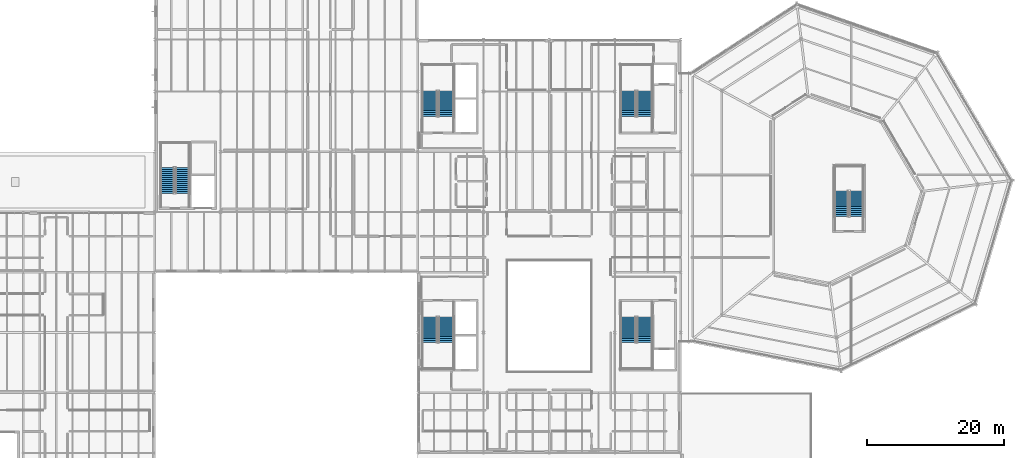
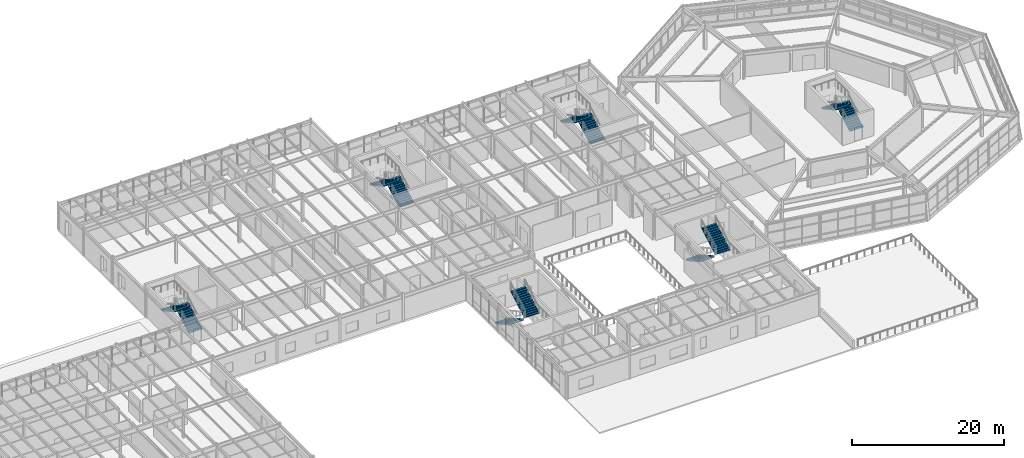
# One storey, part 57 of 69: 12 stair flights, 6 elements without a shape of their own.
"""IFC4 building model written with IfcOpenShell, lengths in metres."""

from ifc_helpers import new_model, si_unit, direction, frame, origin, place, context, subcontext, project, spatial, polyline, outline, extrude, material, type_object, element, aggregate, save


model = new_model("IFC4")

# Units and contexts
model_context = context("Model", 3, precision=1e-05, world=origin(), true_north=direction((0.0, 1.0)))
body_context = subcontext(model_context, "Body", "Model", "MODEL_VIEW")
ifc_project = project(units=[si_unit("LENGTHUNIT", "METRE"), si_unit("AREAUNIT", "SQUARE_METRE"), si_unit("VOLUMEUNIT", "CUBIC_METRE"), si_unit("PLANEANGLEUNIT", "RADIAN"), si_unit("MASSUNIT", "GRAM", prefix="KILO")], contexts=[model_context])

# Site, building, storey
site_placement = place(None, origin())
site = spatial("IfcSite", under=ifc_project, at=site_placement, CompositionType="ELEMENT")
building_placement = place(site_placement, origin())
building = spatial("IfcBuilding", under=site, at=building_placement, Name="Sarnbrook Museum", CompositionType="ELEMENT")
storey_placement = place(building_placement, frame((0.0, 0.0, 14.60009765625)))
storey = spatial("IfcBuildingStorey", under=building, at=storey_placement, Name="L03", CompositionType="ELEMENT", Elevation=14.60009765625)

# Stair, stair flights
ifc_material = material(Name="Concrete N40 (AS 3600, f'c = 40 MPa)", Category="concrete")
stair_type_1 = type_object("IfcStairType", Name="Stair_ST03", PredefinedType="HALF_TURN_STAIR", material=ifc_material)
stair_1_placement = place(storey_placement, origin())
stair_1 = element("IfcStair", 1, at=stair_1_placement, inside=storey, type_object=stair_type_1, Name="L03 Exit Stair ST1", PredefinedType="HALF_TURN_STAIR")
stair_flight_type_1 = type_object("IfcStairFlightType", Name="StairFlight_SF03", PredefinedType="STRAIGHT", material=ifc_material)
stair_flight_1_placement = place(storey_placement, frame((111.550048828125, 67.8798828125, 0.0), z_axis=(0.0, 0.0, 1.0), x_axis=(0.0, -1.0, 0.0)))
stair_flight_1 = element("IfcStairFlight", 2, at=stair_flight_1_placement, type_object=stair_flight_type_1, Name="ST1 flight 1", NumberOfRisers=14, NumberOfTreads=13, PredefinedType="STRAIGHT", RiserHeight=0.160714286, TreadLength=0.29, context=body_context, shape_type="SweptSolid", body=[
    extrude(outline(polyline([(0.0, 0.0), (0.0, 0.16064453125), (0.2900390625, 0.16064453125), (0.2900390625, 0.321533203125), (0.580078125, 0.321533203125), (0.580078125, 0.482177734375), (0.8701171875, 0.482177734375), (0.8701171875, 0.642822265625), (1.159912109375, 0.642822265625), (1.159912109375, 0.803466796875), (1.449951171875, 0.803466796875), (1.449951171875, 0.96435546875), (1.739990234375, 0.96435546875), (1.739990234375, 1.125), (2.030029296875, 1.125), (2.030029296875, 1.28564453125), (2.320068359375, 1.28564453125), (2.320068359375, 1.446533203125), (2.610107421875, 1.446533203125), (2.610107421875, 1.607177734375), (2.89990234375, 1.607177734375), (2.89990234375, 1.767822265625), (3.18994140625, 1.767822265625), (3.18994140625, 1.928466796875), (3.47998046875, 1.928466796875), (3.47998046875, 2.08935546875), (3.77001953125, 2.08935546875), (3.77001953125, 2.25), (3.77001953125, 1.91796875), (0.309326171875, 0.0), (0.0, 0.0)])), frame((0.0, 1.10986328125, 0.0), z_axis=(0.0, -1.0, 0.0), x_axis=(1.0, 0.0, 0.0)), (0.0, 0.0, 1.0), 2.219970703125),
])
stair_flight_2_placement = place(storey_placement, frame((113.949951171875, 64.110107421875, 2.25), z_axis=(0.0, 0.0, 1.0), x_axis=(0.0, 1.0, 0.0)))
stair_flight_2 = element("IfcStairFlight", 3, at=stair_flight_2_placement, type_object=stair_flight_type_1, Name="ST1 flight 2", NumberOfRisers=14, NumberOfTreads=13, PredefinedType="STRAIGHT", RiserHeight=0.160714286, TreadLength=0.29, context=body_context, shape_type="SweptSolid", body=[
    extrude(outline(polyline([(0.0, 0.0), (0.0, 0.16064453125), (0.2900390625, 0.16064453125), (0.2900390625, 0.321533203125), (0.580078125, 0.321533203125), (0.580078125, 0.482177734375), (0.8701171875, 0.482177734375), (0.8701171875, 0.642822265625), (1.159912109375, 0.642822265625), (1.159912109375, 0.803466796875), (1.449951171875, 0.803466796875), (1.449951171875, 0.96435546875), (1.739990234375, 0.96435546875), (1.739990234375, 1.125), (2.030029296875, 1.125), (2.030029296875, 1.28564453125), (2.320068359375, 1.28564453125), (2.320068359375, 1.446533203125), (2.610107421875, 1.446533203125), (2.610107421875, 1.607177734375), (2.89990234375, 1.607177734375), (2.89990234375, 1.767822265625), (3.18994140625, 1.767822265625), (3.18994140625, 1.928466796875), (3.47998046875, 1.928466796875), (3.47998046875, 2.08935546875), (3.77001953125, 2.08935546875), (3.77001953125, 2.25), (3.77001953125, 1.91796875), (0.309326171875, 0.0), (0.0, 0.0)])), frame((0.0, 1.10986328125, 0.0), z_axis=(0.0, -1.0, 0.0), x_axis=(1.0, 0.0, 0.0)), (0.0, 0.0, 1.0), 2.219970703125),
])
aggregate(stair_1, [stair_flight_1, stair_flight_2])

stair_2_placement = place(storey_placement, origin())
stair_2 = element("IfcStair", 4, at=stair_2_placement, inside=storey, type_object=stair_type_1, Name="L03 Exit Stair ST2", PredefinedType="HALF_TURN_STAIR")
stair_flight_3_placement = place(storey_placement, frame((113.949951171875, 97.1201171875, 0.0), z_axis=(0.0, 0.0, 1.0), x_axis=(0.0, 1.0, 0.0)))
stair_flight_3 = element("IfcStairFlight", 5, at=stair_flight_3_placement, type_object=stair_flight_type_1, Name="ST2 flight 1", NumberOfRisers=14, NumberOfTreads=13, PredefinedType="STRAIGHT", RiserHeight=0.160714286, TreadLength=0.29, context=body_context, shape_type="SweptSolid", body=[
    extrude(outline(polyline([(0.0, 0.0), (0.0, 0.16064453125), (0.2900390625, 0.16064453125), (0.2900390625, 0.321533203125), (0.580078125, 0.321533203125), (0.580078125, 0.482177734375), (0.8701171875, 0.482177734375), (0.8701171875, 0.642822265625), (1.159912109375, 0.642822265625), (1.159912109375, 0.803466796875), (1.449951171875, 0.803466796875), (1.449951171875, 0.96435546875), (1.739990234375, 0.96435546875), (1.739990234375, 1.125), (2.030029296875, 1.125), (2.030029296875, 1.28564453125), (2.320068359375, 1.28564453125), (2.320068359375, 1.446533203125), (2.610107421875, 1.446533203125), (2.610107421875, 1.607177734375), (2.89990234375, 1.607177734375), (2.89990234375, 1.767822265625), (3.18994140625, 1.767822265625), (3.18994140625, 1.928466796875), (3.47998046875, 1.928466796875), (3.47998046875, 2.08935546875), (3.77001953125, 2.08935546875), (3.77001953125, 2.25), (3.77001953125, 1.91796875), (0.309326171875, 0.0), (0.0, 0.0)])), frame((0.0, 1.10986328125, 0.0), z_axis=(0.0, -1.0, 0.0), x_axis=(1.0, 0.0, 0.0)), (0.0, 0.0, 1.0), 2.219970703125),
])
stair_flight_4_placement = place(storey_placement, frame((111.550048828125, 100.889892578125, 2.25), z_axis=(0.0, 0.0, 1.0), x_axis=(0.0, -1.0, 0.0)))
stair_flight_4 = element("IfcStairFlight", 6, at=stair_flight_4_placement, type_object=stair_flight_type_1, Name="ST2 flight 2", NumberOfRisers=14, NumberOfTreads=13, PredefinedType="STRAIGHT", RiserHeight=0.160714286, TreadLength=0.29, context=body_context, shape_type="SweptSolid", body=[
    extrude(outline(polyline([(0.0, 0.0), (0.0, 0.16064453125), (0.2900390625, 0.16064453125), (0.2900390625, 0.321533203125), (0.580078125, 0.321533203125), (0.580078125, 0.482177734375), (0.8701171875, 0.482177734375), (0.8701171875, 0.642822265625), (1.159912109375, 0.642822265625), (1.159912109375, 0.803466796875), (1.449951171875, 0.803466796875), (1.449951171875, 0.96435546875), (1.739990234375, 0.96435546875), (1.739990234375, 1.125), (2.030029296875, 1.125), (2.030029296875, 1.28564453125), (2.320068359375, 1.28564453125), (2.320068359375, 1.446533203125), (2.610107421875, 1.446533203125), (2.610107421875, 1.607177734375), (2.89990234375, 1.607177734375), (2.89990234375, 1.767822265625), (3.18994140625, 1.767822265625), (3.18994140625, 1.928466796875), (3.47998046875, 1.928466796875), (3.47998046875, 2.08935546875), (3.77001953125, 2.08935546875), (3.77001953125, 2.25), (3.77001953125, 1.91796875), (0.309326171875, 0.0), (0.0, 0.0)])), frame((0.0, 1.10986328125, 0.0), z_axis=(0.0, -1.0, 0.0), x_axis=(1.0, 0.0, 0.0)), (0.0, 0.0, 1.0), 2.219970703125),
])
aggregate(stair_2, [stair_flight_3, stair_flight_4])

stair_3_placement = place(storey_placement, origin())
stair_3 = element("IfcStair", 7, at=stair_3_placement, inside=storey, type_object=stair_type_1, Name="L03 Exit Stair ST3", PredefinedType="HALF_TURN_STAIR")
stair_flight_5_placement = place(storey_placement, frame((82.550048828125, 67.8798828125, 0.0), z_axis=(0.0, 0.0, 1.0), x_axis=(0.0, -1.0, 0.0)))
stair_flight_5 = element("IfcStairFlight", 8, at=stair_flight_5_placement, type_object=stair_flight_type_1, Name="ST3 flight 1", NumberOfRisers=14, NumberOfTreads=13, PredefinedType="STRAIGHT", RiserHeight=0.160714286, TreadLength=0.29, context=body_context, shape_type="SweptSolid", body=[
    extrude(outline(polyline([(0.0, 0.0), (0.0, 0.16064453125), (0.2900390625, 0.16064453125), (0.2900390625, 0.321533203125), (0.580078125, 0.321533203125), (0.580078125, 0.482177734375), (0.8701171875, 0.482177734375), (0.8701171875, 0.642822265625), (1.159912109375, 0.642822265625), (1.159912109375, 0.803466796875), (1.449951171875, 0.803466796875), (1.449951171875, 0.96435546875), (1.739990234375, 0.96435546875), (1.739990234375, 1.125), (2.030029296875, 1.125), (2.030029296875, 1.28564453125), (2.320068359375, 1.28564453125), (2.320068359375, 1.446533203125), (2.610107421875, 1.446533203125), (2.610107421875, 1.607177734375), (2.89990234375, 1.607177734375), (2.89990234375, 1.767822265625), (3.18994140625, 1.767822265625), (3.18994140625, 1.928466796875), (3.47998046875, 1.928466796875), (3.47998046875, 2.08935546875), (3.77001953125, 2.08935546875), (3.77001953125, 2.25), (3.77001953125, 1.91796875), (0.309326171875, 0.0), (0.0, 0.0)])), frame((0.0, 1.10986328125, 0.0), z_axis=(0.0, -1.0, 0.0), x_axis=(1.0, 0.0, 0.0)), (0.0, 0.0, 1.0), 2.219970703125),
])
stair_flight_6_placement = place(storey_placement, frame((84.949951171875, 64.110107421875, 2.25), z_axis=(0.0, 0.0, 1.0), x_axis=(0.0, 1.0, 0.0)))
stair_flight_6 = element("IfcStairFlight", 9, at=stair_flight_6_placement, type_object=stair_flight_type_1, Name="ST3 flight 2", NumberOfRisers=14, NumberOfTreads=13, PredefinedType="STRAIGHT", RiserHeight=0.160714286, TreadLength=0.29, context=body_context, shape_type="SweptSolid", body=[
    extrude(outline(polyline([(0.0, 0.0), (0.0, 0.16064453125), (0.2900390625, 0.16064453125), (0.2900390625, 0.321533203125), (0.580078125, 0.321533203125), (0.580078125, 0.482177734375), (0.8701171875, 0.482177734375), (0.8701171875, 0.642822265625), (1.159912109375, 0.642822265625), (1.159912109375, 0.803466796875), (1.449951171875, 0.803466796875), (1.449951171875, 0.96435546875), (1.739990234375, 0.96435546875), (1.739990234375, 1.125), (2.030029296875, 1.125), (2.030029296875, 1.28564453125), (2.320068359375, 1.28564453125), (2.320068359375, 1.446533203125), (2.610107421875, 1.446533203125), (2.610107421875, 1.607177734375), (2.89990234375, 1.607177734375), (2.89990234375, 1.767822265625), (3.18994140625, 1.767822265625), (3.18994140625, 1.928466796875), (3.47998046875, 1.928466796875), (3.47998046875, 2.08935546875), (3.77001953125, 2.08935546875), (3.77001953125, 2.25), (3.77001953125, 1.91796875), (0.309326171875, 0.0), (0.0, 0.0)])), frame((0.0, 1.10986328125, 0.0), z_axis=(0.0, -1.0, 0.0), x_axis=(1.0, 0.0, 0.0)), (0.0, 0.0, 1.0), 2.219970703125),
])
aggregate(stair_3, [stair_flight_5, stair_flight_6])

stair_4_placement = place(storey_placement, origin())
stair_4 = element("IfcStair", 10, at=stair_4_placement, inside=storey, type_object=stair_type_1, Name="L03 Exit Stair ST4", PredefinedType="HALF_TURN_STAIR")
stair_flight_7_placement = place(storey_placement, frame((84.949951171875, 97.1201171875, 0.0), z_axis=(0.0, 0.0, 1.0), x_axis=(0.0, 1.0, 0.0)))
stair_flight_7 = element("IfcStairFlight", 11, at=stair_flight_7_placement, type_object=stair_flight_type_1, Name="ST4 flight 1", NumberOfRisers=14, NumberOfTreads=13, PredefinedType="STRAIGHT", RiserHeight=0.160714286, TreadLength=0.29, context=body_context, shape_type="SweptSolid", body=[
    extrude(outline(polyline([(0.0, 0.0), (0.0, 0.16064453125), (0.2900390625, 0.16064453125), (0.2900390625, 0.321533203125), (0.580078125, 0.321533203125), (0.580078125, 0.482177734375), (0.8701171875, 0.482177734375), (0.8701171875, 0.642822265625), (1.159912109375, 0.642822265625), (1.159912109375, 0.803466796875), (1.449951171875, 0.803466796875), (1.449951171875, 0.96435546875), (1.739990234375, 0.96435546875), (1.739990234375, 1.125), (2.030029296875, 1.125), (2.030029296875, 1.28564453125), (2.320068359375, 1.28564453125), (2.320068359375, 1.446533203125), (2.610107421875, 1.446533203125), (2.610107421875, 1.607177734375), (2.89990234375, 1.607177734375), (2.89990234375, 1.767822265625), (3.18994140625, 1.767822265625), (3.18994140625, 1.928466796875), (3.47998046875, 1.928466796875), (3.47998046875, 2.08935546875), (3.77001953125, 2.08935546875), (3.77001953125, 2.25), (3.77001953125, 1.91796875), (0.309326171875, 0.0), (0.0, 0.0)])), frame((0.0, 1.10986328125, 0.0), z_axis=(0.0, -1.0, 0.0), x_axis=(1.0, 0.0, 0.0)), (0.0, 0.0, 1.0), 2.219970703125),
])
stair_flight_8_placement = place(storey_placement, frame((82.550048828125, 100.889892578125, 2.25), z_axis=(0.0, 0.0, 1.0), x_axis=(0.0, -1.0, 0.0)))
stair_flight_8 = element("IfcStairFlight", 12, at=stair_flight_8_placement, type_object=stair_flight_type_1, Name="ST4 flight 2", NumberOfRisers=14, NumberOfTreads=13, PredefinedType="STRAIGHT", RiserHeight=0.160714286, TreadLength=0.29, context=body_context, shape_type="SweptSolid", body=[
    extrude(outline(polyline([(0.0, 0.0), (0.0, 0.16064453125), (0.2900390625, 0.16064453125), (0.2900390625, 0.321533203125), (0.580078125, 0.321533203125), (0.580078125, 0.482177734375), (0.8701171875, 0.482177734375), (0.8701171875, 0.642822265625), (1.159912109375, 0.642822265625), (1.159912109375, 0.803466796875), (1.449951171875, 0.803466796875), (1.449951171875, 0.96435546875), (1.739990234375, 0.96435546875), (1.739990234375, 1.125), (2.030029296875, 1.125), (2.030029296875, 1.28564453125), (2.320068359375, 1.28564453125), (2.320068359375, 1.446533203125), (2.610107421875, 1.446533203125), (2.610107421875, 1.607177734375), (2.89990234375, 1.607177734375), (2.89990234375, 1.767822265625), (3.18994140625, 1.767822265625), (3.18994140625, 1.928466796875), (3.47998046875, 1.928466796875), (3.47998046875, 2.08935546875), (3.77001953125, 2.08935546875), (3.77001953125, 2.25), (3.77001953125, 1.91796875), (0.309326171875, 0.0), (0.0, 0.0)])), frame((0.0, 1.10986328125, 0.0), z_axis=(0.0, -1.0, 0.0), x_axis=(1.0, 0.0, 0.0)), (0.0, 0.0, 1.0), 2.219970703125),
])
aggregate(stair_4, [stair_flight_7, stair_flight_8])

stair_type_2 = type_object("IfcStairType", Name="Stair_ST07", PredefinedType="HALF_TURN_STAIR", material=ifc_material)
stair_5_placement = place(storey_placement, origin())
stair_5 = element("IfcStair", 13, at=stair_5_placement, inside=storey, type_object=stair_type_2, Name="L03 Exit Stair ST6", PredefinedType="HALF_TURN_STAIR")
stair_flight_type_2 = type_object("IfcStairFlightType", Name="StairFlight_SF07", PredefinedType="STRAIGHT", material=ifc_material)
stair_flight_9_placement = place(storey_placement, frame((46.429931640625, 85.919921875, 0.0), z_axis=(0.0, 0.0, 1.0), x_axis=(0.0, 1.0, 0.0)))
stair_flight_9 = element("IfcStairFlight", 14, at=stair_flight_9_placement, type_object=stair_flight_type_2, Name="ST6 flight 1", NumberOfRisers=14, NumberOfTreads=13, PredefinedType="STRAIGHT", RiserHeight=0.160714286, TreadLength=0.29, context=body_context, shape_type="SweptSolid", body=[
    extrude(outline(polyline([(0.0, 0.0), (0.0, 0.16064453125), (0.2900390625, 0.16064453125), (0.2900390625, 0.321533203125), (0.580078125, 0.321533203125), (0.580078125, 0.482177734375), (0.8701171875, 0.482177734375), (0.8701171875, 0.642822265625), (1.159912109375, 0.642822265625), (1.159912109375, 0.803466796875), (1.449951171875, 0.803466796875), (1.449951171875, 0.96435546875), (1.739990234375, 0.96435546875), (1.739990234375, 1.125), (2.030029296875, 1.125), (2.030029296875, 1.28564453125), (2.320068359375, 1.28564453125), (2.320068359375, 1.446533203125), (2.610107421875, 1.446533203125), (2.610107421875, 1.607177734375), (2.89990234375, 1.607177734375), (2.89990234375, 1.767822265625), (3.18994140625, 1.767822265625), (3.18994140625, 1.928466796875), (3.47998046875, 1.928466796875), (3.47998046875, 2.08935546875), (3.77001953125, 2.08935546875), (3.77001953125, 2.25), (3.77001953125, 1.91796875), (0.309326171875, 0.0), (0.0, 0.0)])), frame((0.0, 1.010009765625, 0.0), z_axis=(0.0, -1.0, 0.0), x_axis=(1.0, 0.0, 0.0)), (0.0, 0.0, 1.0), 2.02001953125),
])
stair_flight_10_placement = place(storey_placement, frame((44.25, 89.68994140625, 2.25), z_axis=(0.0, 0.0, 1.0), x_axis=(0.0, -1.0, 0.0)))
stair_flight_10 = element("IfcStairFlight", 15, at=stair_flight_10_placement, type_object=stair_flight_type_2, Name="ST6 flight 2", NumberOfRisers=14, NumberOfTreads=13, PredefinedType="STRAIGHT", RiserHeight=0.160714286, TreadLength=0.29, context=body_context, shape_type="SweptSolid", body=[
    extrude(outline(polyline([(0.0, 0.0), (0.0, 0.16064453125), (0.2900390625, 0.16064453125), (0.2900390625, 0.321533203125), (0.580078125, 0.321533203125), (0.580078125, 0.482177734375), (0.8701171875, 0.482177734375), (0.8701171875, 0.642822265625), (1.159912109375, 0.642822265625), (1.159912109375, 0.803466796875), (1.449951171875, 0.803466796875), (1.449951171875, 0.96435546875), (1.739990234375, 0.96435546875), (1.739990234375, 1.125), (2.030029296875, 1.125), (2.030029296875, 1.28564453125), (2.320068359375, 1.28564453125), (2.320068359375, 1.446533203125), (2.610107421875, 1.446533203125), (2.610107421875, 1.607177734375), (2.89990234375, 1.607177734375), (2.89990234375, 1.767822265625), (3.18994140625, 1.767822265625), (3.18994140625, 1.928466796875), (3.47998046875, 1.928466796875), (3.47998046875, 2.08935546875), (3.77001953125, 2.08935546875), (3.77001953125, 2.25), (3.77001953125, 1.91796875), (0.309326171875, 0.0), (0.0, 0.0)])), frame((0.0, 1.010009765625, 0.0), z_axis=(0.0, -1.0, 0.0), x_axis=(1.0, 0.0, 0.0)), (0.0, 0.0, 1.0), 2.02001953125),
])
aggregate(stair_5, [stair_flight_9, stair_flight_10])

stair_6_placement = place(storey_placement, origin())
stair_6 = element("IfcStair", 16, at=stair_6_placement, inside=storey, type_object=stair_type_2, Name="L03 Exit Stair ST7", PredefinedType="HALF_TURN_STAIR")
stair_flight_11_placement = place(storey_placement, frame((144.889892578125, 82.52001953125, 0.0), z_axis=(0.0, 0.0, 1.0), x_axis=(0.0, 1.0, 0.0)))
stair_flight_11 = element("IfcStairFlight", 17, at=stair_flight_11_placement, type_object=stair_flight_type_2, Name="ST7 flight 1", NumberOfRisers=14, NumberOfTreads=13, PredefinedType="STRAIGHT", RiserHeight=0.160714286, TreadLength=0.29, context=body_context, shape_type="SweptSolid", body=[
    extrude(outline(polyline([(0.0, 0.0), (0.0, 0.16064453125), (0.2900390625, 0.16064453125), (0.2900390625, 0.321533203125), (0.580078125, 0.321533203125), (0.580078125, 0.482177734375), (0.8701171875, 0.482177734375), (0.8701171875, 0.642822265625), (1.159912109375, 0.642822265625), (1.159912109375, 0.803466796875), (1.449951171875, 0.803466796875), (1.449951171875, 0.96435546875), (1.739990234375, 0.96435546875), (1.739990234375, 1.125), (2.030029296875, 1.125), (2.030029296875, 1.28564453125), (2.320068359375, 1.28564453125), (2.320068359375, 1.446533203125), (2.610107421875, 1.446533203125), (2.610107421875, 1.607177734375), (2.89990234375, 1.607177734375), (2.89990234375, 1.767822265625), (3.18994140625, 1.767822265625), (3.18994140625, 1.928466796875), (3.47998046875, 1.928466796875), (3.47998046875, 2.08935546875), (3.77001953125, 2.08935546875), (3.77001953125, 2.25), (3.77001953125, 1.91796875), (0.309326171875, 0.0), (0.0, 0.0)])), frame((0.0, 1.010009765625, 0.0), z_axis=(0.0, -1.0, 0.0), x_axis=(1.0, 0.0, 0.0)), (0.0, 0.0, 1.0), 2.02001953125),
])
stair_flight_12_placement = place(storey_placement, frame((142.7099609375, 86.2900390625, 2.25), z_axis=(0.0, 0.0, 1.0), x_axis=(0.0, -1.0, 0.0)))
stair_flight_12 = element("IfcStairFlight", 18, at=stair_flight_12_placement, type_object=stair_flight_type_2, Name="ST7 flight 2", NumberOfRisers=14, NumberOfTreads=13, PredefinedType="STRAIGHT", RiserHeight=0.160714286, TreadLength=0.29, context=body_context, shape_type="SweptSolid", body=[
    extrude(outline(polyline([(0.0, 0.0), (0.0, 0.16064453125), (0.2900390625, 0.16064453125), (0.2900390625, 0.321533203125), (0.580078125, 0.321533203125), (0.580078125, 0.482177734375), (0.8701171875, 0.482177734375), (0.8701171875, 0.642822265625), (1.159912109375, 0.642822265625), (1.159912109375, 0.803466796875), (1.449951171875, 0.803466796875), (1.449951171875, 0.96435546875), (1.739990234375, 0.96435546875), (1.739990234375, 1.125), (2.030029296875, 1.125), (2.030029296875, 1.28564453125), (2.320068359375, 1.28564453125), (2.320068359375, 1.446533203125), (2.610107421875, 1.446533203125), (2.610107421875, 1.607177734375), (2.89990234375, 1.607177734375), (2.89990234375, 1.767822265625), (3.18994140625, 1.767822265625), (3.18994140625, 1.928466796875), (3.47998046875, 1.928466796875), (3.47998046875, 2.08935546875), (3.77001953125, 2.08935546875), (3.77001953125, 2.25), (3.77001953125, 1.91796875), (0.309326171875, 0.0), (0.0, 0.0)])), frame((0.0, 1.010009765625, 0.0), z_axis=(0.0, -1.0, 0.0), x_axis=(1.0, 0.0, 0.0)), (0.0, 0.0, 1.0), 2.02001953125),
])
aggregate(stair_6, [stair_flight_11, stair_flight_12])

save(model, "model.ifc")
